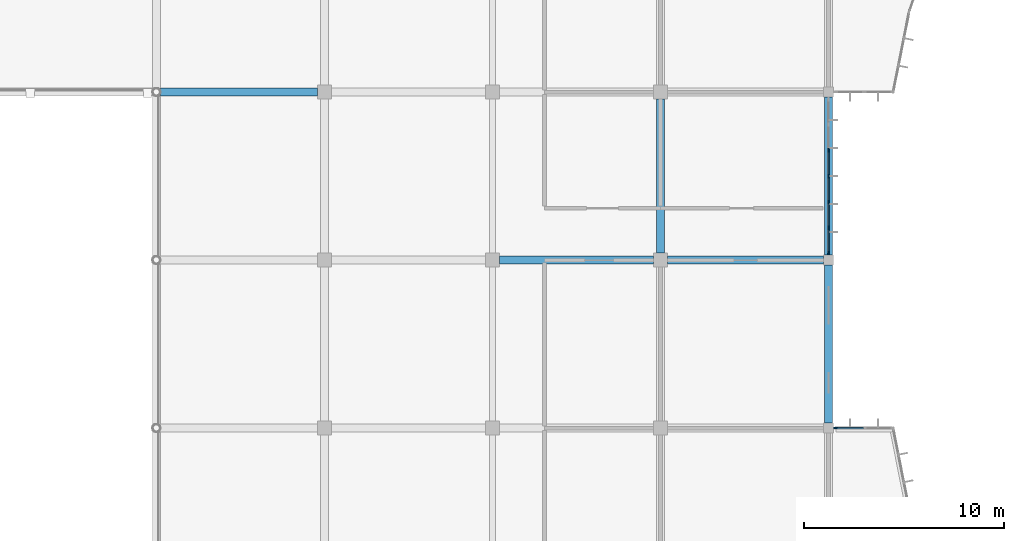
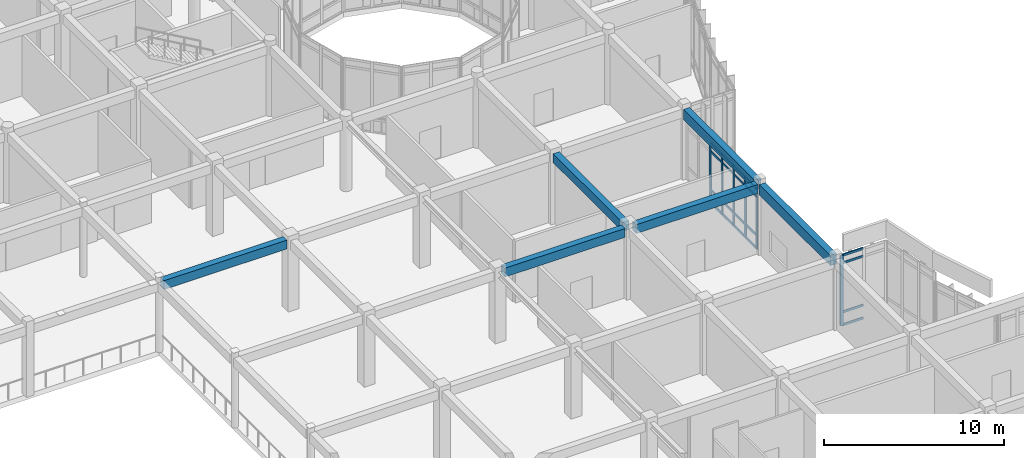
# One storey, part 25 of 134: 26 members, 6 beams, 2 elements without a shape of their own.
"""IFC4 building model written with IfcOpenShell, lengths in metres."""

from ifc_helpers import new_model, si_unit, direction, frame, origin, origin_2d, place, context, subcontext, project, spatial, rectangle, extrude, material, layer, layer_set, material_profile, profile_set, type_object, element, aggregate, save


model = new_model("IFC4")

# Units and contexts
model_context = context("Model", 3, precision=1e-05, world=origin(), true_north=direction((0.0, 1.0)))
body_context = subcontext(model_context, "Body", "Model", "MODEL_VIEW")
ifc_project = project(units=[si_unit("LENGTHUNIT", "METRE"), si_unit("AREAUNIT", "SQUARE_METRE"), si_unit("VOLUMEUNIT", "CUBIC_METRE"), si_unit("PLANEANGLEUNIT", "RADIAN"), si_unit("MASSUNIT", "GRAM", prefix="KILO")], contexts=[model_context])

# Site, building, storey
site_placement = place(None, origin())
site = spatial("IfcSite", under=ifc_project, at=site_placement, CompositionType="ELEMENT")
building_placement = place(site_placement, origin())
building = spatial("IfcBuilding", under=site, at=building_placement, Name="Bramfleet General Hospital", CompositionType="ELEMENT")
storey_placement = place(building_placement, frame((0.0, 0.0, 9.300048828125)))
storey = spatial("IfcBuildingStorey", under=building, at=storey_placement, Name="L02", CompositionType="ELEMENT", Elevation=9.300048828125)

# Beams
ifc_material_1 = material(Name="Concrete C35/45", Category="concrete")
ifc_material_profile_1 = material_profile(ifc_material_1, rectangle(XDim=0.39990234375, YDim=0.60009765625, at=origin_2d()), Name="RC BM 600x400")
ifc_profile_set_1 = profile_set([ifc_material_profile_1], Name="Concrete C35/45")
beam_type_1 = type_object("IfcBeamType", Name="BM-RC600", PredefinedType="BEAM", material=ifc_profile_set_1)
beam_1_placement = place(storey_placement, frame((92.603271484375, 50.39990234375, 4.47998046875), z_axis=(1.0, 0.0, 0.0), x_axis=(0.0, 1.0, 0.0)))
element("IfcBeam", 1, at=beam_1_placement, inside=storey, type_object=beam_type_1, Name="L02 Grid Beam X 11-06", PredefinedType="BEAM", context=body_context, shape_type="SweptSolid", body=[
    extrude(rectangle(XDim=0.39990234375, YDim=0.60009765625, at=origin_2d()), origin(), (0.0, 0.0, 1.0), 7.8466796875),
])
beam_2_placement = place(storey_placement, frame((109.550048828125, 42.0, 4.47998046875), z_axis=(1.0, 0.0, 0.0), x_axis=(0.0, 1.0, 0.0)))
element("IfcBeam", 2, at=beam_2_placement, inside=storey, type_object=beam_type_1, Name="L02 Grid Beam X 13-05", PredefinedType="BEAM", context=body_context, shape_type="SweptSolid", body=[
    extrude(rectangle(XDim=0.39990234375, YDim=0.60009765625, at=origin_2d()), origin(), (0.0, 0.0, 1.0), 7.699951171875),
])
beam_3_placement = place(storey_placement, frame((117.949951171875, 42.0, 4.47998046875), z_axis=(1.0, 0.0, 0.0), x_axis=(0.0, 1.0, 0.0)))
element("IfcBeam", 3, at=beam_3_placement, inside=storey, type_object=beam_type_1, Name="L02 Grid Beam X 14-05", PredefinedType="BEAM", context=body_context, shape_type="SweptSolid", body=[
    extrude(rectangle(XDim=0.39990234375, YDim=0.60009765625, at=origin_2d()), origin(), (0.0, 0.0, 1.0), 7.800048828125),
])
beam_4_placement = place(storey_placement, frame((117.60009765625, 42.35009765625, 4.47998046875), z_axis=(0.0, 1.0, 0.0), x_axis=(-1.0, 0.0, 0.0)))
element("IfcBeam", 4, at=beam_4_placement, inside=storey, type_object=beam_type_1, Name="L02 Grid Beam Y 14-05", PredefinedType="BEAM", context=body_context, shape_type="SweptSolid", body=[
    extrude(rectangle(XDim=0.39990234375, YDim=0.60009765625, at=origin_2d()), origin(), (0.0, 0.0, 1.0), 7.699951171875),
])
ifc_material_profile_2 = material_profile(ifc_material_1, rectangle(XDim=0.39990234375, YDim=0.699951171875, at=origin_2d()), Name="RC SP 700x400")
ifc_profile_set_2 = profile_set([ifc_material_profile_2], Name="Concrete C35/45")
beam_type_2 = type_object("IfcBeamType", Name="BM-SP700", PredefinedType="SPANDREL", material=ifc_profile_set_2)
for number, where, z_axis, x_axis, name in (
    (5, (126.0, 33.85009765625, 4.429931640625), (0.0, 1.0, 0.0), (-1.0, 0.0, 0.0), "L02 Grid Beam Y 15-04"),
    (6, (126.0, 42.25, 4.429931640625), (0.0, 1.0, 0.0), (-1.0, 0.0, 0.0), "L02 Grid Beam Y 15-05"),
):
    element("IfcBeam", number, at=place(storey_placement, frame(where, z_axis=z_axis, x_axis=x_axis)), inside=storey, type_object=beam_type_2, Name=name, PredefinedType="SPANDREL", context=body_context, shape_type="SweptSolid", body=[
        extrude(rectangle(XDim=0.39990234375, YDim=0.699951171875, at=origin_2d()), origin(), (0.0, 0.0, 1.0), 7.89990234375),
    ])

# Curtain wall, members
ifc_material_2 = material(Name="Anodised aluminium and low-E triple glazing", Category="aluminium")
ifc_layer_1 = layer(ifc_material_2, 0.179931640625, Name="CWT-CW-06")
ifc_layer_set_1 = layer_set([ifc_layer_1], Name="Anodised aluminium and low-E triple glazing")
curtain_wall_type_1 = type_object("IfcCurtainWallType", Name="CWT-CW-06", PredefinedType="USERDEFINED", material=ifc_layer_set_1)
curtain_wall_1_placement = place(storey_placement, origin())
curtain_wall_1 = element("IfcCurtainWall", 7, at=curtain_wall_1_placement, inside=storey, type_object=curtain_wall_type_1, Name="L02 Curtain Wall 114", ObjectType="Unitised curtain wall", PredefinedType="USERDEFINED")
ifc_material_3 = material(Name="Structural timber GL28h", Category="wood")
ifc_material_profile_3 = material_profile(ifc_material_3, rectangle(XDim=0.070068359375, YDim=0.18994140625, at=origin_2d()), Name="LARCH 190x70")
ifc_profile_set_3 = profile_set([ifc_material_profile_3], Name="Structural timber GL28h")
member_type_1 = type_object("IfcMemberType", Name="CWM-LARCH450", PredefinedType="MULLION", material=ifc_profile_set_3)
member_1_placement = place(storey_placement, frame((126.0, 47.49169921875, 0.0), z_axis=(0.0, 0.0, 1.0), x_axis=(1.0, 0.0, 0.0)))
member_1 = element("IfcMember", 8, at=member_1_placement, type_object=member_type_1, Name="CW-06 mullion 3", PredefinedType="MULLION", context=body_context, shape_type="SweptSolid", body=[
    extrude(rectangle(XDim=0.070068359375, YDim=0.18994140625, at=origin_2d()), origin(), (0.0, 0.0, 1.0), 4.070068359375),
])
member_2_placement = place(storey_placement, frame((126.0, 46.199951171875, 0.0), z_axis=(0.0, 0.0, 1.0), x_axis=(1.0, 0.0, 0.0)))
member_2 = element("IfcMember", 9, at=member_2_placement, type_object=member_type_1, Name="CW-06 mullion 4", PredefinedType="MULLION", context=body_context, shape_type="SweptSolid", body=[
    extrude(rectangle(XDim=0.070068359375, YDim=0.18994140625, at=origin_2d()), origin(), (0.0, 0.0, 1.0), 4.070068359375),
])
member_3_placement = place(storey_placement, frame((126.0, 44.908447265625, 0.0), z_axis=(0.0, 0.0, 1.0), x_axis=(1.0, 0.0, 0.0)))
member_3 = element("IfcMember", 10, at=member_3_placement, type_object=member_type_1, Name="CW-06 mullion 5", PredefinedType="MULLION", context=body_context, shape_type="SweptSolid", body=[
    extrude(rectangle(XDim=0.070068359375, YDim=0.18994140625, at=origin_2d()), origin(), (0.0, 0.0, 1.0), 4.070068359375),
])
member_4_placement = place(storey_placement, frame((126.0, 43.61669921875, 0.0), z_axis=(0.0, 0.0, 1.0), x_axis=(1.0, 0.0, 0.0)))
member_4 = element("IfcMember", 11, at=member_4_placement, type_object=member_type_1, Name="CW-06 mullion 6", PredefinedType="MULLION", context=body_context, shape_type="SweptSolid", body=[
    extrude(rectangle(XDim=0.070068359375, YDim=0.18994140625, at=origin_2d()), origin(), (0.0, 0.0, 1.0), 4.070068359375),
])
member_5_placement = place(storey_placement, frame((126.0, 42.360107421875, 0.0), z_axis=(0.0, 0.0, 1.0), x_axis=(1.0, 0.0, 0.0)))
member_5 = element("IfcMember", 12, at=member_5_placement, type_object=member_type_1, Name="CW-06 mullion 7", PredefinedType="MULLION", context=body_context, shape_type="SweptSolid", body=[
    extrude(rectangle(XDim=0.070068359375, YDim=0.18994140625, at=origin_2d()), origin(), (0.0, 0.0, 1.0), 4.070068359375),
])

# Curtain wall, member
ifc_layer_2 = layer(ifc_material_2, 0.179931640625, Name="CWT-CW-07")
ifc_layer_set_2 = layer_set([ifc_layer_2], Name="Anodised aluminium and low-E triple glazing")
curtain_wall_type_2 = type_object("IfcCurtainWallType", Name="CWT-CW-07", PredefinedType="USERDEFINED", material=ifc_layer_set_2)
curtain_wall_2_placement = place(storey_placement, origin())
curtain_wall_2 = element("IfcCurtainWall", 13, at=curtain_wall_2_placement, inside=storey, type_object=curtain_wall_type_2, Name="L02 Curtain Wall 115", ObjectType="Unitised curtain wall", PredefinedType="USERDEFINED")
member_6_placement = place(storey_placement, frame((126.360107421875, 33.60009765625, 0.0), z_axis=(0.0, 0.0, 1.0), x_axis=(0.0, 1.0, 0.0)))
member_6 = element("IfcMember", 14, at=member_6_placement, type_object=member_type_1, Name="CW-07 mullion 1", PredefinedType="MULLION", context=body_context, shape_type="SweptSolid", body=[
    extrude(rectangle(XDim=0.070068359375, YDim=0.18994140625, at=origin_2d()), origin(), (0.0, 0.0, 1.0), 4.77001953125),
])

# Member
ifc_material_profile_4 = material_profile(ifc_material_3, rectangle(XDim=0.06494140625, YDim=0.14990234375, at=origin_2d()), Name="LARCH 150x65")
ifc_profile_set_4 = profile_set([ifc_material_profile_4], Name="Structural timber GL28h")
member_type_2 = type_object("IfcMemberType", Name="CWT-LARCH220", PredefinedType="USERDEFINED", material=ifc_profile_set_4)
member_7_placement = place(storey_placement, frame((126.0, 47.456787109375, 0.032470703125), z_axis=(0.0, -1.0, 0.0), x_axis=(1.0, 0.0, 0.0)))
member_7 = element("IfcMember", 15, at=member_7_placement, type_object=member_type_2, Name="CW-06 transom 3.1", ObjectType="TRANSOM", PredefinedType="USERDEFINED", context=body_context, shape_type="SweptSolid", body=[
    extrude(rectangle(XDim=0.06494140625, YDim=0.14990234375, at=origin_2d()), origin(), (0.0, 0.0, 1.0), 1.2216796875),
])

member_8_placement = place(storey_placement, frame((126.0, 47.456787109375, 0.89990234375), z_axis=(0.0, -1.0, 0.0), x_axis=(1.0, 0.0, 0.0)))
member_8 = element("IfcMember", 16, at=member_8_placement, type_object=member_type_2, Name="CW-06 transom 3.2", ObjectType="TRANSOM", PredefinedType="USERDEFINED", context=body_context, shape_type="SweptSolid", body=[
    extrude(rectangle(XDim=0.06494140625, YDim=0.14990234375, at=origin_2d()), origin(), (0.0, 0.0, 1.0), 1.2216796875),
])

member_9_placement = place(storey_placement, frame((126.0, 47.456787109375, 3.52001953125), z_axis=(0.0, -1.0, 0.0), x_axis=(1.0, 0.0, 0.0)))
member_9 = element("IfcMember", 17, at=member_9_placement, type_object=member_type_2, Name="CW-06 transom 3.3", ObjectType="TRANSOM", PredefinedType="USERDEFINED", context=body_context, shape_type="SweptSolid", body=[
    extrude(rectangle(XDim=0.06494140625, YDim=0.14990234375, at=origin_2d()), origin(), (0.0, 0.0, 1.0), 1.2216796875),
])

member_10_placement = place(storey_placement, frame((126.0, 47.456787109375, 4.037353515625), z_axis=(0.0, -1.0, 0.0), x_axis=(1.0, 0.0, 0.0)))
member_10 = element("IfcMember", 18, at=member_10_placement, type_object=member_type_2, Name="CW-06 transom 3.4", ObjectType="TRANSOM", PredefinedType="USERDEFINED", context=body_context, shape_type="SweptSolid", body=[
    extrude(rectangle(XDim=0.06494140625, YDim=0.14990234375, at=origin_2d()), origin(), (0.0, 0.0, 1.0), 1.2216796875),
])

member_11_placement = place(storey_placement, frame((126.0, 46.1650390625, 0.032470703125), z_axis=(0.0, -1.0, 0.0), x_axis=(1.0, 0.0, 0.0)))
member_11 = element("IfcMember", 19, at=member_11_placement, type_object=member_type_2, Name="CW-06 transom 4.1", ObjectType="TRANSOM", PredefinedType="USERDEFINED", context=body_context, shape_type="SweptSolid", body=[
    extrude(rectangle(XDim=0.06494140625, YDim=0.14990234375, at=origin_2d()), origin(), (0.0, 0.0, 1.0), 1.2216796875),
])

member_12_placement = place(storey_placement, frame((126.0, 46.1650390625, 0.89990234375), z_axis=(0.0, -1.0, 0.0), x_axis=(1.0, 0.0, 0.0)))
member_12 = element("IfcMember", 20, at=member_12_placement, type_object=member_type_2, Name="CW-06 transom 4.2", ObjectType="TRANSOM", PredefinedType="USERDEFINED", context=body_context, shape_type="SweptSolid", body=[
    extrude(rectangle(XDim=0.06494140625, YDim=0.14990234375, at=origin_2d()), origin(), (0.0, 0.0, 1.0), 1.2216796875),
])

member_13_placement = place(storey_placement, frame((126.0, 46.1650390625, 3.52001953125), z_axis=(0.0, -1.0, 0.0), x_axis=(1.0, 0.0, 0.0)))
member_13 = element("IfcMember", 21, at=member_13_placement, type_object=member_type_2, Name="CW-06 transom 4.3", ObjectType="TRANSOM", PredefinedType="USERDEFINED", context=body_context, shape_type="SweptSolid", body=[
    extrude(rectangle(XDim=0.06494140625, YDim=0.14990234375, at=origin_2d()), origin(), (0.0, 0.0, 1.0), 1.2216796875),
])

member_14_placement = place(storey_placement, frame((126.0, 46.1650390625, 4.037353515625), z_axis=(0.0, -1.0, 0.0), x_axis=(1.0, 0.0, 0.0)))
member_14 = element("IfcMember", 22, at=member_14_placement, type_object=member_type_2, Name="CW-06 transom 4.4", ObjectType="TRANSOM", PredefinedType="USERDEFINED", context=body_context, shape_type="SweptSolid", body=[
    extrude(rectangle(XDim=0.06494140625, YDim=0.14990234375, at=origin_2d()), origin(), (0.0, 0.0, 1.0), 1.2216796875),
])

member_15_placement = place(storey_placement, frame((126.0, 44.873291015625, 0.032470703125), z_axis=(0.0, -1.0, 0.0), x_axis=(1.0, 0.0, 0.0)))
member_15 = element("IfcMember", 23, at=member_15_placement, type_object=member_type_2, Name="CW-06 transom 5.1", ObjectType="TRANSOM", PredefinedType="USERDEFINED", context=body_context, shape_type="SweptSolid", body=[
    extrude(rectangle(XDim=0.06494140625, YDim=0.14990234375, at=origin_2d()), origin(), (0.0, 0.0, 1.0), 1.2216796875),
])

member_16_placement = place(storey_placement, frame((126.0, 44.873291015625, 0.89990234375), z_axis=(0.0, -1.0, 0.0), x_axis=(1.0, 0.0, 0.0)))
member_16 = element("IfcMember", 24, at=member_16_placement, type_object=member_type_2, Name="CW-06 transom 5.2", ObjectType="TRANSOM", PredefinedType="USERDEFINED", context=body_context, shape_type="SweptSolid", body=[
    extrude(rectangle(XDim=0.06494140625, YDim=0.14990234375, at=origin_2d()), origin(), (0.0, 0.0, 1.0), 1.2216796875),
])

member_17_placement = place(storey_placement, frame((126.0, 44.873291015625, 3.52001953125), z_axis=(0.0, -1.0, 0.0), x_axis=(1.0, 0.0, 0.0)))
member_17 = element("IfcMember", 25, at=member_17_placement, type_object=member_type_2, Name="CW-06 transom 5.3", ObjectType="TRANSOM", PredefinedType="USERDEFINED", context=body_context, shape_type="SweptSolid", body=[
    extrude(rectangle(XDim=0.06494140625, YDim=0.14990234375, at=origin_2d()), origin(), (0.0, 0.0, 1.0), 1.2216796875),
])

member_18_placement = place(storey_placement, frame((126.0, 44.873291015625, 4.037353515625), z_axis=(0.0, -1.0, 0.0), x_axis=(1.0, 0.0, 0.0)))
member_18 = element("IfcMember", 26, at=member_18_placement, type_object=member_type_2, Name="CW-06 transom 5.4", ObjectType="TRANSOM", PredefinedType="USERDEFINED", context=body_context, shape_type="SweptSolid", body=[
    extrude(rectangle(XDim=0.06494140625, YDim=0.14990234375, at=origin_2d()), origin(), (0.0, 0.0, 1.0), 1.2216796875),
])

member_19_placement = place(storey_placement, frame((126.0, 43.581787109375, 0.032470703125), z_axis=(0.0, -1.0, 0.0), x_axis=(1.0, 0.0, 0.0)))
member_19 = element("IfcMember", 27, at=member_19_placement, type_object=member_type_2, Name="CW-06 transom 6.1", ObjectType="TRANSOM", PredefinedType="USERDEFINED", context=body_context, shape_type="SweptSolid", body=[
    extrude(rectangle(XDim=0.06494140625, YDim=0.14990234375, at=origin_2d()), origin(), (0.0, 0.0, 1.0), 1.186767578125),
])

member_20_placement = place(storey_placement, frame((126.0, 43.581787109375, 0.89990234375), z_axis=(0.0, -1.0, 0.0), x_axis=(1.0, 0.0, 0.0)))
member_20 = element("IfcMember", 28, at=member_20_placement, type_object=member_type_2, Name="CW-06 transom 6.2", ObjectType="TRANSOM", PredefinedType="USERDEFINED", context=body_context, shape_type="SweptSolid", body=[
    extrude(rectangle(XDim=0.06494140625, YDim=0.14990234375, at=origin_2d()), origin(), (0.0, 0.0, 1.0), 1.186767578125),
])

member_21_placement = place(storey_placement, frame((126.0, 43.581787109375, 3.52001953125), z_axis=(0.0, -1.0, 0.0), x_axis=(1.0, 0.0, 0.0)))
member_21 = element("IfcMember", 29, at=member_21_placement, type_object=member_type_2, Name="CW-06 transom 6.3", ObjectType="TRANSOM", PredefinedType="USERDEFINED", context=body_context, shape_type="SweptSolid", body=[
    extrude(rectangle(XDim=0.06494140625, YDim=0.14990234375, at=origin_2d()), origin(), (0.0, 0.0, 1.0), 1.186767578125),
])

member_22_placement = place(storey_placement, frame((126.0, 43.581787109375, 4.037353515625), z_axis=(0.0, -1.0, 0.0), x_axis=(1.0, 0.0, 0.0)))
member_22 = element("IfcMember", 30, at=member_22_placement, type_object=member_type_2, Name="CW-06 transom 6.4", ObjectType="TRANSOM", PredefinedType="USERDEFINED", context=body_context, shape_type="SweptSolid", body=[
    extrude(rectangle(XDim=0.06494140625, YDim=0.14990234375, at=origin_2d()), origin(), (0.0, 0.0, 1.0), 1.186767578125),
])

aggregate(curtain_wall_1, [member_1, member_2, member_3, member_4, member_5, member_7, member_8, member_9, member_10, member_11, member_12, member_13, member_14, member_15, member_16, member_17, member_18, member_19, member_20, member_21, member_22])

member_23_placement = place(storey_placement, frame((126.39501953125, 33.60009765625, 0.032470703125), z_axis=(1.0, 0.0, 0.0), x_axis=(0.0, 1.0, 0.0)))
member_23 = element("IfcMember", 31, at=member_23_placement, type_object=member_type_2, Name="CW-07 transom 1.1", ObjectType="TRANSOM", PredefinedType="USERDEFINED", context=body_context, shape_type="SweptSolid", body=[
    extrude(rectangle(XDim=0.06494140625, YDim=0.14990234375, at=origin_2d()), origin(), (0.0, 0.0, 1.0), 1.35009765625),
])

member_24_placement = place(storey_placement, frame((126.39501953125, 33.60009765625, 0.89990234375), z_axis=(1.0, 0.0, 0.0), x_axis=(0.0, 1.0, 0.0)))
member_24 = element("IfcMember", 32, at=member_24_placement, type_object=member_type_2, Name="CW-07 transom 1.2", ObjectType="TRANSOM", PredefinedType="USERDEFINED", context=body_context, shape_type="SweptSolid", body=[
    extrude(rectangle(XDim=0.06494140625, YDim=0.14990234375, at=origin_2d()), origin(), (0.0, 0.0, 1.0), 1.35009765625),
])

member_25_placement = place(storey_placement, frame((126.39501953125, 33.60009765625, 4.219970703125), z_axis=(1.0, 0.0, 0.0), x_axis=(0.0, 1.0, 0.0)))
member_25 = element("IfcMember", 33, at=member_25_placement, type_object=member_type_2, Name="CW-07 transom 1.3", ObjectType="TRANSOM", PredefinedType="USERDEFINED", context=body_context, shape_type="SweptSolid", body=[
    extrude(rectangle(XDim=0.06494140625, YDim=0.14990234375, at=origin_2d()), origin(), (0.0, 0.0, 1.0), 1.35009765625),
])

member_26_placement = place(storey_placement, frame((126.39501953125, 33.60009765625, 4.737548828125), z_axis=(1.0, 0.0, 0.0), x_axis=(0.0, 1.0, 0.0)))
member_26 = element("IfcMember", 34, at=member_26_placement, type_object=member_type_2, Name="CW-07 transom 1.4", ObjectType="TRANSOM", PredefinedType="USERDEFINED", context=body_context, shape_type="SweptSolid", body=[
    extrude(rectangle(XDim=0.06494140625, YDim=0.14990234375, at=origin_2d()), origin(), (0.0, 0.0, 1.0), 1.35009765625),
])

aggregate(curtain_wall_2, [member_6, member_23, member_24, member_25, member_26])

save(model, "model.ifc")
